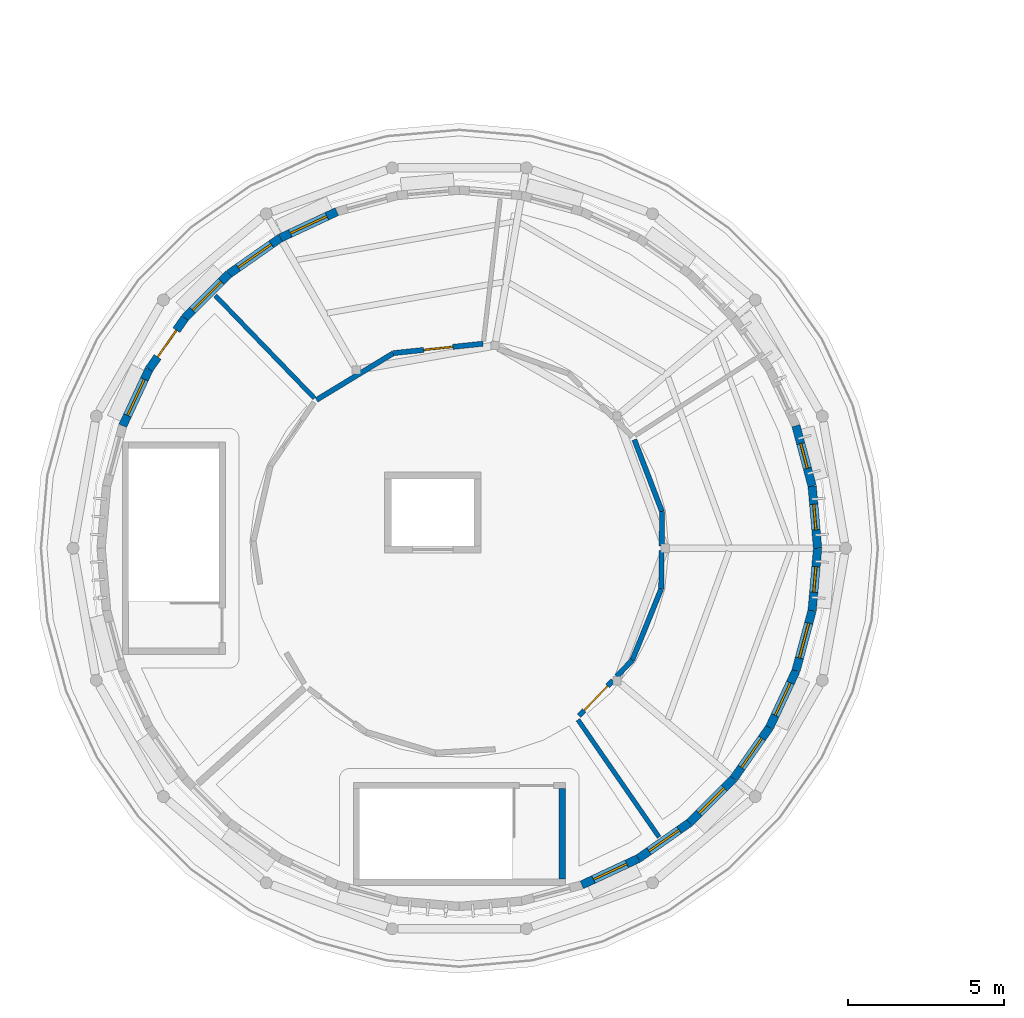
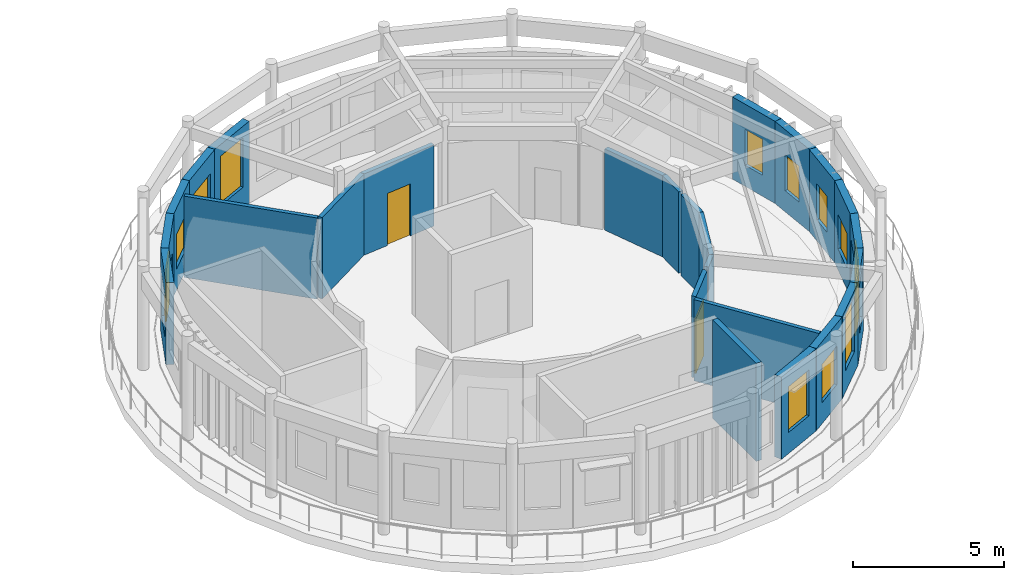
# One storey, part 17 of 30: 25 walls, 13 windows, 3 doors, 16 openings.
"""IFC4 building model written with IfcOpenShell, lengths in metres."""

from ifc_helpers import new_model, si_unit, direction, frame, frame_2d, origin, place, context, subcontext, project, spatial, rectangle, extrude, material, layer, layer_set, type_object, element, fill, save


model = new_model("IFC4")

# Units and contexts
model_context = context("Model", 3, precision=1e-05, world=origin(), true_north=direction((0.0, 1.0)))
body_context = subcontext(model_context, "Body", "Model", "MODEL_VIEW")
ifc_project = project(units=[si_unit("LENGTHUNIT", "METRE"), si_unit("AREAUNIT", "SQUARE_METRE"), si_unit("VOLUMEUNIT", "CUBIC_METRE"), si_unit("PLANEANGLEUNIT", "RADIAN"), si_unit("MASSUNIT", "GRAM", prefix="KILO")], contexts=[model_context])

# Site, building, storey
site_placement = place(None, origin())
site = spatial("IfcSite", under=ifc_project, at=site_placement, CompositionType="ELEMENT")
building_placement = place(site_placement, origin())
building = spatial("IfcBuilding", under=site, at=building_placement, Name="Aldenvaro Health Centre", CompositionType="ELEMENT")
storey_placement = place(building_placement, frame((0.0, 0.0, 17.14990234375)))
storey = spatial("IfcBuildingStorey", under=building, at=storey_placement, Name="L04", CompositionType="ELEMENT", Elevation=17.14990234375)

# Walls
ifc_material_1 = material(Name="Gypsum Stud Acoustic Assembly")
ifc_layer_1 = layer(ifc_material_1, 0.14501953125, Name="Gypsum Stud Acoustic Assembly")
ifc_layer_set_1 = layer_set([ifc_layer_1], Name="Gypsum Stud Acoustic Assembly")
wall_type_1 = type_object("IfcWallType", Name="WL-CLN-145", PredefinedType="PARTITIONING", material=ifc_layer_set_1)
wall_1_placement = place(storey_placement, frame((13.85791015625, 23.306884765625, 0.0), z_axis=(0.0, 0.0, 1.0), x_axis=(-0.694751659022, 0.719249700928, 0.0)))
element("IfcWall", 1, at=wall_1_placement, inside=storey, type_object=wall_type_1, Name="D5 L04 clinical partition 1.1", PredefinedType="PARTITIONING", context=body_context, shape_type="SweptSolid", body=[
    extrude(rectangle(XDim=4.57421875, YDim=0.14501953125, at=frame_2d((2.287109375, 0.0))), origin(), (0.0, 0.0, 1.0), 3.279052734375),
])
wall_2_placement = place(storey_placement, frame((22.301025390625, 13.0029296875, 0.0), z_axis=(0.0, 0.0, 1.0), x_axis=(0.56891282969, -0.822397830867, 0.0)))
element("IfcWall", 2, at=wall_2_placement, inside=storey, type_object=wall_type_1, Name="D5 L04 clinical partition 3.1", PredefinedType="PARTITIONING", context=body_context, shape_type="SweptSolid", body=[
    extrude(rectangle(XDim=4.572021484375, YDim=0.14501953125, at=frame_2d((2.2861328125, 0.0))), origin(), (0.0, 0.0, 1.0), 3.279052734375),
])

# Wall, opening, door
ifc_layer_2 = layer(ifc_material_1, 0.1650390625, Name="Gypsum Stud Acoustic Assembly")
ifc_layer_set_2 = layer_set([ifc_layer_2], Name="Gypsum Stud Acoustic Assembly")
wall_type_2 = type_object("IfcWallType", Name="WL-COR-165", PredefinedType="PARTITIONING", material=ifc_layer_set_2)
wall_3_placement = place(storey_placement, frame((22.333984375, 13.1279296875, 0.0), z_axis=(0.0, 0.0, 1.0), x_axis=(0.69098960796, 0.722864691136, 0.0)))
wall_3 = element("IfcWall", 3, at=wall_3_placement, inside=storey, type_object=wall_type_2, Name="D5 L04 corridor wall 03.1", PredefinedType="PARTITIONING", context=body_context, shape_type="SweptSolid", body=[
    extrude(rectangle(XDim=1.570068359375, YDim=0.1650390625, at=frame_2d((0.78515625, 0.0))), origin(), (0.0, 0.0, 1.0), 3.279052734375),
])
opening_1_placement = place(wall_3_placement, frame((0.239990234375, 0.0, 0.0)))
opening_1 = element("IfcOpeningElement", 4, at=opening_1_placement, cuts=wall_3, Name="Opening D-22", PredefinedType="OPENING", context=body_context, shape_type="SweptSolid", body=[
    extrude(rectangle(XDim=1.090087890625, YDim=2.219970703125, at=frame_2d((0.544921875, 1.10986328125))), frame((0.0, 0.092529296875, 0.0), z_axis=(0.0, -1.0, 0.0), x_axis=(1.0, 0.0, 0.0)), (0.0, 0.0, 1.0), 0.18505859375),
])
ifc_material_2 = material(Name="Exam Suite Timber Door", Category="wood")
door_type_1 = type_object("IfcDoorType", Name="DR-CLN-22", OperationType="NOTDEFINED", PredefinedType="DOOR", material=ifc_material_2)
door_1_placement = place(opening_1_placement, origin())
door_1 = element("IfcDoor", 5, at=door_1_placement, inside=storey, type_object=door_type_1, Name="Staff Continuing Education Room Door", OperationType="SINGLE_SWING_LEFT", OverallHeight=2.219970703125, OverallWidth=1.090087890625, PredefinedType="DOOR", context=body_context, shape_type="SweptSolid", body=[
    extrude(rectangle(XDim=1.090087890625, YDim=2.219970703125, at=frame_2d((0.544921875, 1.10986328125))), frame((0.0, 0.02490234375, 0.0), z_axis=(0.0, -1.0, 0.0), x_axis=(1.0, 0.0, 0.0)), (0.0, 0.0, 1.0), 0.050048828125),
])
fill(opening_1, door_1)

# Walls
wall_4_placement = place(storey_placement, frame((23.544921875, 14.39501953125, 0.0), z_axis=(0.0, 0.0, 1.0), x_axis=(0.690944661627, 0.722907652864, 0.0)))
element("IfcWall", 6, at=wall_4_placement, inside=storey, type_object=wall_type_2, Name="D5 L04 corridor wall 03.2", PredefinedType="PARTITIONING", context=body_context, shape_type="SweptSolid", body=[
    extrude(rectangle(XDim=0.718017578125, YDim=0.1650390625, at=frame_2d((0.35888671875, 0.0))), origin(), (0.0, 0.0, 1.0), 3.279052734375),
])
wall_5_placement = place(storey_placement, frame((24.041015625, 14.9140625, 0.0), z_axis=(0.0, 0.0, 1.0), x_axis=(0.376411505865, 0.926452577444, 0.0)))
element("IfcWall", 7, at=wall_5_placement, inside=storey, type_object=wall_type_2, Name="D5 L04 corridor wall 03.3", PredefinedType="PARTITIONING", context=body_context, shape_type="SweptSolid", body=[
    extrude(rectangle(XDim=2.470458984375, YDim=0.1650390625, at=frame_2d((1.2353515625, 0.0))), origin(), (0.0, 0.0, 1.0), 3.279052734375),
])
wall_6_placement = place(storey_placement, frame((24.970947265625, 17.202880859375, 0.0), z_axis=(0.0, 0.0, 1.0), x_axis=(0.009764381036, 0.999952327295, 0.0)))
element("IfcWall", 8, at=wall_6_placement, inside=storey, type_object=wall_type_2, Name="D5 L04 corridor wall 03.4", PredefinedType="PARTITIONING", context=body_context, shape_type="SweptSolid", body=[
    extrude(rectangle(XDim=1.22509765625, YDim=0.1650390625, at=frame_2d((0.612548828125, 0.0))), origin(), (0.0, 0.0, 1.0), 3.279052734375),
])
wall_7_placement = place(storey_placement, frame((24.98388671875, 18.573974609375, 0.0), z_axis=(0.0, 0.0, 1.0), x_axis=(0.010217147704, 0.999947803584, 0.0)))
element("IfcWall", 9, at=wall_7_placement, inside=storey, type_object=wall_type_2, Name="D5 L04 corridor wall 03.5", PredefinedType="PARTITIONING", context=body_context, shape_type="SweptSolid", body=[
    extrude(rectangle(XDim=1.09912109375, YDim=0.1650390625, at=frame_2d((0.549560546875, 0.0))), origin(), (0.0, 0.0, 1.0), 3.279052734375),
])
wall_8_placement = place(storey_placement, frame((24.9951171875, 19.673095703125, 0.0), z_axis=(0.0, 0.0, 1.0), x_axis=(-0.358959221796, 0.933353243465, 0.0)))
element("IfcWall", 10, at=wall_8_placement, inside=storey, type_object=wall_type_2, Name="D5 L04 corridor wall 03.6", PredefinedType="PARTITIONING", context=body_context, shape_type="SweptSolid", body=[
    extrude(rectangle(XDim=2.4716796875, YDim=0.1650390625, at=frame_2d((1.23583984375, 0.0))), origin(), (0.0, 0.0, 1.0), 3.279052734375),
])

# Wall, opening, door
wall_9_placement = place(storey_placement, frame((19.257080078125, 25.055908203125, 0.0), z_axis=(0.0, 0.0, 1.0), x_axis=(-0.994470622132, -0.105015149938, 0.0)))
wall_9 = element("IfcWall", 11, at=wall_9_placement, inside=storey, type_object=wall_type_2, Name="D5 L04 corridor wall 05.1", PredefinedType="PARTITIONING", context=body_context, shape_type="SweptSolid", body=[
    extrude(rectangle(XDim=2.885009765625, YDim=0.1650390625, at=frame_2d((1.4423828125, 0.0))), origin(), (0.0, 0.0, 1.0), 3.279052734375),
])
opening_2_placement = place(wall_9_placement, frame((0.972900390625, 0.0, 0.0)))
opening_2 = element("IfcOpeningElement", 12, at=opening_2_placement, cuts=wall_9, Name="Opening WD-02", PredefinedType="OPENING", context=body_context, shape_type="SweptSolid", body=[
    extrude(rectangle(XDim=0.93994140625, YDim=2.10009765625, at=frame_2d((0.469970703125, 1.050048828125))), frame((0.0, 0.092529296875, 0.0), z_axis=(0.0, -1.0, 0.0), x_axis=(1.0, 0.0, 0.0)), (0.0, 0.0, 1.0), 0.18505859375),
])
ifc_material_3 = material(Name="Accessible Sanitary Laminate Door")
door_type_2 = type_object("IfcDoorType", Name="DR-WC-02", OperationType="NOTDEFINED", PredefinedType="DOOR", material=ifc_material_3)
door_2_placement = place(opening_2_placement, origin())
door_2 = element("IfcDoor", 13, at=door_2_placement, inside=storey, type_object=door_type_2, Name="Female Staff WC Door", OperationType="SINGLE_SWING_LEFT", OverallHeight=2.10009765625, OverallWidth=0.93994140625, PredefinedType="DOOR", context=body_context, shape_type="SweptSolid", body=[
    extrude(rectangle(XDim=0.93994140625, YDim=2.10009765625, at=frame_2d((0.469970703125, 1.050048828125))), frame((0.0, 0.02490234375, 0.0), z_axis=(0.0, -1.0, 0.0), x_axis=(1.0, 0.0, 0.0)), (0.0, 0.0, 1.0), 0.050048828125),
])
fill(opening_2, door_2)

# Wall
wall_10_placement = place(storey_placement, frame((16.387939453125, 24.7529296875, 0.0), z_axis=(0.0, 0.0, 1.0), x_axis=(-0.854492488108, -0.519463750196, 0.0)))
element("IfcWall", 14, at=wall_10_placement, inside=storey, type_object=wall_type_2, Name="D5 L04 corridor wall 05.2", PredefinedType="PARTITIONING", context=body_context, shape_type="SweptSolid", body=[
    extrude(rectangle(XDim=2.8857421875, YDim=0.1650390625, at=frame_2d((1.44287109375, 0.0))), origin(), (0.0, 0.0, 1.0), 3.279052734375),
])

# Wall, opening, window
ifc_material_4 = material(Name="Cross-laminated timber CLT E1", Category="wood")
ifc_layer_3 = layer(ifc_material_4, 0.27001953125, Name="Cross-laminated timber CLT E1", Category="wood")
ifc_layer_set_3 = layer_set([ifc_layer_3], Name="Cross-laminated timber CLT E1")
wall_type_3 = type_object("IfcWallType", Name="WL-EXT-270", PredefinedType="ELEMENTEDWALL", material=ifc_layer_set_3)
wall_11_placement = place(storey_placement, frame((29.805908203125, 16.507080078125, 0.0), z_axis=(0.0, 0.0, 1.0), x_axis=(-0.258748280927, -0.965944784715, 0.0)))
wall_11 = element("IfcWall", 15, at=wall_11_placement, inside=storey, type_object=wall_type_3, Name="D5 L04 exterior wall 01", PredefinedType="ELEMENTEDWALL", context=body_context, shape_type="SweptSolid", body=[
    extrude(rectangle(XDim=2.001220703125, YDim=0.27001953125, at=frame_2d((1.00048828125, 0.0))), origin(), (0.0, 0.0, 1.0), 3.314208984375),
])
opening_3_placement = place(wall_11_placement, frame((0.426025390625, 0.0, 0.85009765625)))
opening_3 = element("IfcOpeningElement", 16, at=opening_3_placement, cuts=wall_11, Name="Opening W-30", PredefinedType="OPENING", context=body_context, shape_type="SweptSolid", body=[
    extrude(rectangle(XDim=1.14990234375, YDim=1.39990234375, at=frame_2d((0.574951171875, 0.699951171875))), frame((0.0, 0.14501953125, 0.0), z_axis=(0.0, -1.0, 0.0), x_axis=(1.0, 0.0, 0.0)), (0.0, 0.0, 1.0), 0.2900390625),
])
ifc_material_5 = material(Name="Thermally Broken Aluminium Low-E Glass", Category="aluminium")
window_type_1 = type_object("IfcWindowType", Name="WN-EXT-30", PartitioningType="SINGLE_PANEL", PredefinedType="WINDOW", material=ifc_material_5)
window_1_placement = place(opening_3_placement, origin())
window_1 = element("IfcWindow", 17, at=window_1_placement, inside=storey, type_object=window_type_1, Name="D5 L04 clinical window 01", OverallHeight=1.39990234375, OverallWidth=1.14990234375, PartitioningType="SINGLE_PANEL", PredefinedType="WINDOW", context=body_context, shape_type="SweptSolid", body=[
    extrude(rectangle(XDim=1.14990234375, YDim=1.39990234375, at=frame_2d((0.574951171875, 0.699951171875))), frame((0.0, 0.030029296875, 0.0), z_axis=(0.0, -1.0, 0.0), x_axis=(1.0, 0.0, 0.0)), (0.0, 0.0, 1.0), 0.06005859375),
])
fill(opening_3, window_1)

wall_12_placement = place(storey_placement, frame((29.2880859375, 14.573974609375, 0.0), z_axis=(0.0, 0.0, 1.0), x_axis=(-0.422751915713, -0.906245451167, 0.0)))
wall_12 = element("IfcWall", 18, at=wall_12_placement, inside=storey, type_object=wall_type_3, Name="D5 L04 exterior wall 02", PredefinedType="ELEMENTEDWALL", context=body_context, shape_type="SweptSolid", body=[
    extrude(rectangle(XDim=2.001708984375, YDim=0.27001953125, at=frame_2d((1.0009765625, 0.0))), origin(), (0.0, 0.0, 1.0), 3.314208984375),
])
opening_4_placement = place(wall_12_placement, frame((0.426025390625, 0.0, 0.85009765625)))
opening_4 = element("IfcOpeningElement", 19, at=opening_4_placement, cuts=wall_12, Name="Opening W-31", PredefinedType="OPENING", context=body_context, shape_type="SweptSolid", body=[
    extrude(rectangle(XDim=1.14990234375, YDim=1.699951171875, at=frame_2d((0.574951171875, 0.85009765625))), frame((0.0, 0.14501953125, 0.0), z_axis=(0.0, -1.0, 0.0), x_axis=(1.0, 0.0, 0.0)), (0.0, 0.0, 1.0), 0.2900390625),
])
window_type_2 = type_object("IfcWindowType", Name="WN-EXT-31", PartitioningType="SINGLE_PANEL", PredefinedType="WINDOW", material=ifc_material_5)
window_2_placement = place(opening_4_placement, origin())
window_2 = element("IfcWindow", 20, at=window_2_placement, inside=storey, type_object=window_type_2, Name="D5 L04 clinical window 02", OverallHeight=1.699951171875, OverallWidth=1.14990234375, PartitioningType="SINGLE_PANEL", PredefinedType="WINDOW", context=body_context, shape_type="SweptSolid", body=[
    extrude(rectangle(XDim=1.14990234375, YDim=1.699951171875, at=frame_2d((0.574951171875, 0.85009765625))), frame((0.0, 0.030029296875, 0.0), z_axis=(0.0, -1.0, 0.0), x_axis=(1.0, 0.0, 0.0)), (0.0, 0.0, 1.0), 0.06005859375),
])
fill(opening_4, window_2)

wall_13_placement = place(storey_placement, frame((28.44189453125, 12.760009765625, 0.0), z_axis=(0.0, 0.0, 1.0), x_axis=(-0.573699793029, -0.819065655169, 0.0)))
wall_13 = element("IfcWall", 21, at=wall_13_placement, inside=storey, type_object=wall_type_3, Name="D5 L04 exterior wall 03", PredefinedType="ELEMENTEDWALL", context=body_context, shape_type="SweptSolid", body=[
    extrude(rectangle(XDim=2.0009765625, YDim=0.27001953125, at=frame_2d((1.00048828125, 0.0))), origin(), (0.0, 0.0, 1.0), 3.314208984375),
])
opening_5_placement = place(wall_13_placement, frame((0.426025390625, 0.0, 0.85009765625)))
opening_5 = element("IfcOpeningElement", 22, at=opening_5_placement, cuts=wall_13, Name="Opening W-32", PredefinedType="OPENING", context=body_context, shape_type="SweptSolid", body=[
    extrude(rectangle(XDim=1.14990234375, YDim=2.0, at=frame_2d((0.574951171875, 1.0))), frame((0.0, 0.14501953125, 0.0), z_axis=(0.0, -1.0, 0.0), x_axis=(1.0, 0.0, 0.0)), (0.0, 0.0, 1.0), 0.2900390625),
])
window_type_3 = type_object("IfcWindowType", Name="WN-EXT-32", PartitioningType="SINGLE_PANEL", PredefinedType="WINDOW", material=ifc_material_5)
window_3_placement = place(opening_5_placement, origin())
window_3 = element("IfcWindow", 23, at=window_3_placement, inside=storey, type_object=window_type_3, Name="D5 L04 clinical window 03", OverallHeight=2.0, OverallWidth=1.14990234375, PartitioningType="SINGLE_PANEL", PredefinedType="WINDOW", context=body_context, shape_type="SweptSolid", body=[
    extrude(rectangle(XDim=1.14990234375, YDim=2.0, at=frame_2d((0.574951171875, 1.0))), frame((0.0, 0.030029296875, 0.0), z_axis=(0.0, -1.0, 0.0), x_axis=(1.0, 0.0, 0.0)), (0.0, 0.0, 1.0), 0.06005859375),
])
fill(opening_5, window_3)

wall_14_placement = place(storey_placement, frame((27.2939453125, 11.12109375, 0.0), z_axis=(0.0, 0.0, 1.0), x_axis=(-0.707106781187, -0.707106781187, 0.0)))
wall_14 = element("IfcWall", 24, at=wall_14_placement, inside=storey, type_object=wall_type_3, Name="D5 L04 exterior wall 04", PredefinedType="ELEMENTEDWALL", context=body_context, shape_type="SweptSolid", body=[
    extrude(rectangle(XDim=2.001220703125, YDim=0.27001953125, at=frame_2d((1.00048828125, 0.0))), origin(), (0.0, 0.0, 1.0), 3.314208984375),
])
opening_6_placement = place(wall_14_placement, frame((0.426025390625, 0.0, 0.85009765625)))
opening_6 = element("IfcOpeningElement", 25, at=opening_6_placement, cuts=wall_14, Name="Opening W-33", PredefinedType="OPENING", context=body_context, shape_type="SweptSolid", body=[
    extrude(rectangle(XDim=1.14990234375, YDim=2.25, at=frame_2d((0.574951171875, 1.125))), frame((0.0, 0.14501953125, 0.0), z_axis=(0.0, -1.0, 0.0), x_axis=(1.0, 0.0, 0.0)), (0.0, 0.0, 1.0), 0.2900390625),
])
window_type_4 = type_object("IfcWindowType", Name="WN-EXT-33", PartitioningType="SINGLE_PANEL", PredefinedType="WINDOW", material=ifc_material_5)
window_4_placement = place(opening_6_placement, origin())
window_4 = element("IfcWindow", 26, at=window_4_placement, inside=storey, type_object=window_type_4, Name="D5 L04 clinical window 04", OverallHeight=2.25, OverallWidth=1.14990234375, PartitioningType="SINGLE_PANEL", PredefinedType="WINDOW", context=body_context, shape_type="SweptSolid", body=[
    extrude(rectangle(XDim=1.14990234375, YDim=2.25, at=frame_2d((0.574951171875, 1.125))), frame((0.0, 0.030029296875, 0.0), z_axis=(0.0, -1.0, 0.0), x_axis=(1.0, 0.0, 0.0)), (0.0, 0.0, 1.0), 0.06005859375),
])
fill(opening_6, window_4)

wall_15_placement = place(storey_placement, frame((25.87890625, 9.7060546875, 0.0), z_axis=(0.0, 0.0, 1.0), x_axis=(-0.819065655169, -0.573699793029, 0.0)))
wall_15 = element("IfcWall", 27, at=wall_15_placement, inside=storey, type_object=wall_type_3, Name="D5 L04 exterior wall 05", PredefinedType="ELEMENTEDWALL", context=body_context, shape_type="SweptSolid", body=[
    extrude(rectangle(XDim=2.0009765625, YDim=0.27001953125, at=frame_2d((1.00048828125, 0.0))), origin(), (0.0, 0.0, 1.0), 3.314208984375),
])
opening_7_placement = place(wall_15_placement, frame((0.410888671875, 0.0, 0.85009765625)))
opening_7 = element("IfcOpeningElement", 28, at=opening_7_placement, cuts=wall_15, Name="Opening W-34", PredefinedType="OPENING", context=body_context, shape_type="SweptSolid", body=[
    extrude(rectangle(XDim=1.179931640625, YDim=1.550048828125, at=frame_2d((0.58984375, 0.77490234375))), frame((0.0, 0.14501953125, 0.0), z_axis=(0.0, -1.0, 0.0), x_axis=(1.0, 0.0, 0.0)), (0.0, 0.0, 1.0), 0.2900390625),
])
window_type_5 = type_object("IfcWindowType", Name="WN-EXT-34", PartitioningType="SINGLE_PANEL", PredefinedType="WINDOW", material=ifc_material_5)
window_5_placement = place(opening_7_placement, origin())
window_5 = element("IfcWindow", 29, at=window_5_placement, inside=storey, type_object=window_type_5, Name="D5 L04 clinical window 05", OverallHeight=1.550048828125, OverallWidth=1.179931640625, PartitioningType="SINGLE_PANEL", PredefinedType="WINDOW", context=body_context, shape_type="SweptSolid", body=[
    extrude(rectangle(XDim=1.179931640625, YDim=1.550048828125, at=frame_2d((0.58984375, 0.77490234375))), frame((0.0, 0.030029296875, 0.0), z_axis=(0.0, -1.0, 0.0), x_axis=(1.0, 0.0, 0.0)), (0.0, 0.0, 1.0), 0.06005859375),
])
fill(opening_7, window_5)

wall_16_placement = place(storey_placement, frame((24.239990234375, 8.55810546875, 0.0), z_axis=(0.0, 0.0, 1.0), x_axis=(-0.906245451167, -0.422751915713, 0.0)))
wall_16 = element("IfcWall", 30, at=wall_16_placement, inside=storey, type_object=wall_type_3, Name="D5 L04 exterior wall 06", PredefinedType="ELEMENTEDWALL", context=body_context, shape_type="SweptSolid", body=[
    extrude(rectangle(XDim=2.001708984375, YDim=0.27001953125, at=frame_2d((1.0009765625, 0.0))), origin(), (0.0, 0.0, 1.0), 3.314208984375),
])
opening_8_placement = place(wall_16_placement, frame((0.410888671875, 0.0, 0.85009765625)))
opening_8 = element("IfcOpeningElement", 31, at=opening_8_placement, cuts=wall_16, Name="Opening W-35", PredefinedType="OPENING", context=body_context, shape_type="SweptSolid", body=[
    extrude(rectangle(XDim=1.179931640625, YDim=1.85009765625, at=frame_2d((0.58984375, 0.925048828125))), frame((0.0, 0.14501953125, 0.0), z_axis=(0.0, -1.0, 0.0), x_axis=(1.0, 0.0, 0.0)), (0.0, 0.0, 1.0), 0.2900390625),
])
window_type_6 = type_object("IfcWindowType", Name="WN-EXT-35", PartitioningType="SINGLE_PANEL", PredefinedType="WINDOW", material=ifc_material_5)
window_6_placement = place(opening_8_placement, origin())
window_6 = element("IfcWindow", 32, at=window_6_placement, inside=storey, type_object=window_type_6, Name="D5 L04 clinical window 06", OverallHeight=1.85009765625, OverallWidth=1.179931640625, PartitioningType="SINGLE_PANEL", PredefinedType="WINDOW", context=body_context, shape_type="SweptSolid", body=[
    extrude(rectangle(XDim=1.179931640625, YDim=1.85009765625, at=frame_2d((0.58984375, 0.925048828125))), frame((0.0, 0.030029296875, 0.0), z_axis=(0.0, -1.0, 0.0), x_axis=(1.0, 0.0, 0.0)), (0.0, 0.0, 1.0), 0.06005859375),
])
fill(opening_8, window_6)

wall_17_placement = place(storey_placement, frame((7.7119140625, 22.426025390625, 0.0), z_axis=(0.0, 0.0, 1.0), x_axis=(0.422751915713, 0.906245451167, 0.0)))
wall_17 = element("IfcWall", 33, at=wall_17_placement, inside=storey, type_object=wall_type_3, Name="D5 L04 exterior wall 20", PredefinedType="ELEMENTEDWALL", context=body_context, shape_type="SweptSolid", body=[
    extrude(rectangle(XDim=2.001708984375, YDim=0.27001953125, at=frame_2d((1.0009765625, 0.0))), origin(), (0.0, 0.0, 1.0), 3.314208984375),
])
opening_9_placement = place(wall_17_placement, frame((0.361083984375, 0.0, 0.85009765625)))
opening_9 = element("IfcOpeningElement", 34, at=opening_9_placement, cuts=wall_17, Name="Opening W-45", PredefinedType="OPENING", context=body_context, shape_type="SweptSolid", body=[
    extrude(rectangle(XDim=1.280029296875, YDim=1.64990234375, at=frame_2d((0.64013671875, 0.824951171875))), frame((0.0, 0.14501953125, 0.0), z_axis=(0.0, -1.0, 0.0), x_axis=(1.0, 0.0, 0.0)), (0.0, 0.0, 1.0), 0.2900390625),
])
window_type_7 = type_object("IfcWindowType", Name="WN-EXT-45", PartitioningType="SINGLE_PANEL", PredefinedType="WINDOW", material=ifc_material_5)
window_7_placement = place(opening_9_placement, origin())
window_7 = element("IfcWindow", 35, at=window_7_placement, inside=storey, type_object=window_type_7, Name="D5 L04 clinical window 20", OverallHeight=1.64990234375, OverallWidth=1.280029296875, PartitioningType="SINGLE_PANEL", PredefinedType="WINDOW", context=body_context, shape_type="SweptSolid", body=[
    extrude(rectangle(XDim=1.280029296875, YDim=1.64990234375, at=frame_2d((0.64013671875, 0.824951171875))), frame((0.0, 0.030029296875, 0.0), z_axis=(0.0, -1.0, 0.0), x_axis=(1.0, 0.0, 0.0)), (0.0, 0.0, 1.0), 0.06005859375),
])
fill(opening_9, window_7)

# Wall, opening, door
wall_18_placement = place(storey_placement, frame((8.55810546875, 24.239990234375, 0.0), z_axis=(0.0, 0.0, 1.0), x_axis=(0.573699793029, 0.819065655169, 0.0)))
wall_18 = element("IfcWall", 36, at=wall_18_placement, inside=storey, type_object=wall_type_3, Name="D5 L04 exterior wall 21", PredefinedType="ELEMENTEDWALL", context=body_context, shape_type="SweptSolid", body=[
    extrude(rectangle(XDim=2.0009765625, YDim=0.27001953125, at=frame_2d((1.00048828125, 0.0))), origin(), (0.0, 0.0, 1.0), 3.314208984375),
])
opening_10_placement = place(wall_18_placement, frame((0.47607421875, 0.0, 0.0)))
opening_10 = element("IfcOpeningElement", 37, at=opening_10_placement, cuts=wall_18, Name="Opening TD-02", PredefinedType="OPENING", context=body_context, shape_type="SweptSolid", body=[
    extrude(rectangle(XDim=1.050048828125, YDim=2.14990234375, at=frame_2d((0.52490234375, 1.074951171875))), frame((0.0, 0.14501953125, 0.0), z_axis=(0.0, -1.0, 0.0), x_axis=(1.0, 0.0, 0.0)), (0.0, 0.0, 1.0), 0.2900390625),
])
ifc_material_6 = material(Name="Thermally Broken Glazed Aluminium", Category="aluminium")
door_type_3 = type_object("IfcDoorType", Name="DR-TER-105", OperationType="NOTDEFINED", PredefinedType="DOOR", material=ifc_material_6)
door_3_placement = place(opening_10_placement, origin())
door_3 = element("IfcDoor", 38, at=door_3_placement, inside=storey, type_object=door_type_3, Name="D5 L04 Belvedere Terrace Door 21", OperationType="SINGLE_SWING_RIGHT", OverallHeight=2.14990234375, OverallWidth=1.050048828125, PredefinedType="DOOR", context=body_context, shape_type="SweptSolid", body=[
    extrude(rectangle(XDim=1.050048828125, YDim=2.14990234375, at=frame_2d((0.52490234375, 1.074951171875))), frame((0.0, 0.02490234375, 0.0), z_axis=(0.0, -1.0, 0.0), x_axis=(1.0, 0.0, 0.0)), (0.0, 0.0, 1.0), 0.050048828125),
])
fill(opening_10, door_3)

# Wall, opening, window
wall_19_placement = place(storey_placement, frame((9.7060546875, 25.87890625, 0.0), z_axis=(0.0, 0.0, 1.0), x_axis=(0.707106781187, 0.707106781187, 0.0)))
wall_19 = element("IfcWall", 39, at=wall_19_placement, inside=storey, type_object=wall_type_3, Name="D5 L04 exterior wall 22", PredefinedType="ELEMENTEDWALL", context=body_context, shape_type="SweptSolid", body=[
    extrude(rectangle(XDim=2.001220703125, YDim=0.27001953125, at=frame_2d((1.00048828125, 0.0))), origin(), (0.0, 0.0, 1.0), 3.314208984375),
])
opening_11_placement = place(wall_19_placement, frame((0.35107421875, 0.0, 0.85009765625)))
opening_11 = element("IfcOpeningElement", 40, at=opening_11_placement, cuts=wall_19, Name="Opening W-46", PredefinedType="OPENING", context=body_context, shape_type="SweptSolid", body=[
    extrude(rectangle(XDim=1.300048828125, YDim=1.39990234375, at=frame_2d((0.64990234375, 0.699951171875))), frame((0.0, 0.14501953125, 0.0), z_axis=(0.0, -1.0, 0.0), x_axis=(1.0, 0.0, 0.0)), (0.0, 0.0, 1.0), 0.2900390625),
])
window_type_8 = type_object("IfcWindowType", Name="WN-EXT-46", PartitioningType="SINGLE_PANEL", PredefinedType="WINDOW", material=ifc_material_5)
window_8_placement = place(opening_11_placement, origin())
window_8 = element("IfcWindow", 41, at=window_8_placement, inside=storey, type_object=window_type_8, Name="D5 L04 clinical window 22", OverallHeight=1.39990234375, OverallWidth=1.300048828125, PartitioningType="SINGLE_PANEL", PredefinedType="WINDOW", context=body_context, shape_type="SweptSolid", body=[
    extrude(rectangle(XDim=1.300048828125, YDim=1.39990234375, at=frame_2d((0.64990234375, 0.699951171875))), frame((0.0, 0.030029296875, 0.0), z_axis=(0.0, -1.0, 0.0), x_axis=(1.0, 0.0, 0.0)), (0.0, 0.0, 1.0), 0.06005859375),
])
fill(opening_11, window_8)

wall_20_placement = place(storey_placement, frame((11.12109375, 27.2939453125, 0.0), z_axis=(0.0, 0.0, 1.0), x_axis=(0.819065655169, 0.573699793029, 0.0)))
wall_20 = element("IfcWall", 42, at=wall_20_placement, inside=storey, type_object=wall_type_3, Name="D5 L04 exterior wall 23", PredefinedType="ELEMENTEDWALL", context=body_context, shape_type="SweptSolid", body=[
    extrude(rectangle(XDim=2.0009765625, YDim=0.27001953125, at=frame_2d((1.00048828125, 0.0))), origin(), (0.0, 0.0, 1.0), 3.314208984375),
])
opening_12_placement = place(wall_20_placement, frame((0.35107421875, 0.0, 0.85009765625)))
opening_12 = element("IfcOpeningElement", 43, at=opening_12_placement, cuts=wall_20, Name="Opening W-47", PredefinedType="OPENING", context=body_context, shape_type="SweptSolid", body=[
    extrude(rectangle(XDim=1.300048828125, YDim=1.699951171875, at=frame_2d((0.64990234375, 0.85009765625))), frame((0.0, 0.14501953125, 0.0), z_axis=(0.0, -1.0, 0.0), x_axis=(1.0, 0.0, 0.0)), (0.0, 0.0, 1.0), 0.2900390625),
])
window_type_9 = type_object("IfcWindowType", Name="WN-EXT-47", PartitioningType="SINGLE_PANEL", PredefinedType="WINDOW", material=ifc_material_5)
window_9_placement = place(opening_12_placement, origin())
window_9 = element("IfcWindow", 44, at=window_9_placement, inside=storey, type_object=window_type_9, Name="D5 L04 clinical window 23", OverallHeight=1.699951171875, OverallWidth=1.300048828125, PartitioningType="SINGLE_PANEL", PredefinedType="WINDOW", context=body_context, shape_type="SweptSolid", body=[
    extrude(rectangle(XDim=1.300048828125, YDim=1.699951171875, at=frame_2d((0.64990234375, 0.85009765625))), frame((0.0, 0.030029296875, 0.0), z_axis=(0.0, -1.0, 0.0), x_axis=(1.0, 0.0, 0.0)), (0.0, 0.0, 1.0), 0.06005859375),
])
fill(opening_12, window_9)

wall_21_placement = place(storey_placement, frame((12.760009765625, 28.44189453125, 0.0), z_axis=(0.0, 0.0, 1.0), x_axis=(0.906245451167, 0.422751915713, 0.0)))
wall_21 = element("IfcWall", 45, at=wall_21_placement, inside=storey, type_object=wall_type_3, Name="D5 L04 exterior wall 24", PredefinedType="ELEMENTEDWALL", context=body_context, shape_type="SweptSolid", body=[
    extrude(rectangle(XDim=2.001708984375, YDim=0.27001953125, at=frame_2d((1.0009765625, 0.0))), origin(), (0.0, 0.0, 1.0), 3.314208984375),
])
opening_13_placement = place(wall_21_placement, frame((0.35107421875, 0.0, 0.85009765625)))
opening_13 = element("IfcOpeningElement", 46, at=opening_13_placement, cuts=wall_21, Name="Opening W-48", PredefinedType="OPENING", context=body_context, shape_type="SweptSolid", body=[
    extrude(rectangle(XDim=1.300048828125, YDim=2.0, at=frame_2d((0.64990234375, 1.0))), frame((0.0, 0.14501953125, 0.0), z_axis=(0.0, -1.0, 0.0), x_axis=(1.0, 0.0, 0.0)), (0.0, 0.0, 1.0), 0.2900390625),
])
window_type_10 = type_object("IfcWindowType", Name="WN-EXT-48", PartitioningType="SINGLE_PANEL", PredefinedType="WINDOW", material=ifc_material_5)
window_10_placement = place(opening_13_placement, origin())
window_10 = element("IfcWindow", 47, at=window_10_placement, inside=storey, type_object=window_type_10, Name="D5 L04 clinical window 24", OverallHeight=2.0, OverallWidth=1.300048828125, PartitioningType="SINGLE_PANEL", PredefinedType="WINDOW", context=body_context, shape_type="SweptSolid", body=[
    extrude(rectangle(XDim=1.300048828125, YDim=2.0, at=frame_2d((0.64990234375, 1.0))), frame((0.0, 0.030029296875, 0.0), z_axis=(0.0, -1.0, 0.0), x_axis=(1.0, 0.0, 0.0)), (0.0, 0.0, 1.0), 0.06005859375),
])
fill(opening_13, window_10)

wall_22_placement = place(storey_placement, frame((29.2880859375, 22.426025390625, 0.0), z_axis=(0.0, 0.0, 1.0), x_axis=(0.258748280927, -0.965944784715, 0.0)))
wall_22 = element("IfcWall", 48, at=wall_22_placement, inside=storey, type_object=wall_type_3, Name="D5 L04 exterior wall 34", PredefinedType="ELEMENTEDWALL", context=body_context, shape_type="SweptSolid", body=[
    extrude(rectangle(XDim=2.001220703125, YDim=0.27001953125, at=frame_2d((1.00048828125, 0.0))), origin(), (0.0, 0.0, 1.0), 3.314208984375),
])
opening_14_placement = place(wall_22_placement, frame((0.591064453125, 0.0, 0.85009765625)))
opening_14 = element("IfcOpeningElement", 49, at=opening_14_placement, cuts=wall_22, Name="Opening W-01", PredefinedType="OPENING", context=body_context, shape_type="SweptSolid", body=[
    extrude(rectangle(XDim=0.820068359375, YDim=1.449951171875, at=frame_2d((0.41015625, 0.72509765625))), frame((0.0, 0.14501953125, 0.0), z_axis=(0.0, -1.0, 0.0), x_axis=(1.0, 0.0, 0.0)), (0.0, 0.0, 1.0), 0.2900390625),
])
window_type_11 = type_object("IfcWindowType", Name="WN-EXT-01", PartitioningType="SINGLE_PANEL", PredefinedType="WINDOW", material=ifc_material_5)
window_11_placement = place(opening_14_placement, origin())
window_11 = element("IfcWindow", 50, at=window_11_placement, inside=storey, type_object=window_type_11, Name="D5 L04 clinical window 34", OverallHeight=1.449951171875, OverallWidth=0.820068359375, PartitioningType="SINGLE_PANEL", PredefinedType="WINDOW", context=body_context, shape_type="SweptSolid", body=[
    extrude(rectangle(XDim=0.820068359375, YDim=1.449951171875, at=frame_2d((0.41015625, 0.72509765625))), frame((0.0, 0.030029296875, 0.0), z_axis=(0.0, -1.0, 0.0), x_axis=(1.0, 0.0, 0.0)), (0.0, 0.0, 1.0), 0.06005859375),
])
fill(opening_14, window_11)

wall_23_placement = place(storey_placement, frame((29.805908203125, 20.492919921875, 0.0), z_axis=(0.0, 0.0, 1.0), x_axis=(0.087014045266, -0.996207084861, 0.0)))
wall_23 = element("IfcWall", 51, at=wall_23_placement, inside=storey, type_object=wall_type_3, Name="D5 L04 exterior wall 35", PredefinedType="ELEMENTEDWALL", context=body_context, shape_type="SweptSolid", body=[
    extrude(rectangle(XDim=2.00048828125, YDim=0.27001953125, at=frame_2d((1.000244140625, 0.0))), origin(), (0.0, 0.0, 1.0), 3.314208984375),
])
opening_15_placement = place(wall_23_placement, frame((0.590087890625, 0.0, 0.85009765625)))
opening_15 = element("IfcOpeningElement", 52, at=opening_15_placement, cuts=wall_23, Name="Opening W-01", PredefinedType="OPENING", context=body_context, shape_type="SweptSolid", body=[
    extrude(rectangle(XDim=0.820068359375, YDim=1.449951171875, at=frame_2d((0.41015625, 0.72509765625))), frame((0.0, 0.14501953125, 0.0), z_axis=(0.0, -1.0, 0.0), x_axis=(1.0, 0.0, 0.0)), (0.0, 0.0, 1.0), 0.2900390625),
])
window_12_placement = place(opening_15_placement, origin())
window_12 = element("IfcWindow", 53, at=window_12_placement, inside=storey, type_object=window_type_11, Name="D5 L04 clinical window 35", OverallHeight=1.449951171875, OverallWidth=0.820068359375, PartitioningType="SINGLE_PANEL", PredefinedType="WINDOW", context=body_context, shape_type="SweptSolid", body=[
    extrude(rectangle(XDim=0.820068359375, YDim=1.449951171875, at=frame_2d((0.41015625, 0.72509765625))), frame((0.0, 0.030029296875, 0.0), z_axis=(0.0, -1.0, 0.0), x_axis=(1.0, 0.0, 0.0)), (0.0, 0.0, 1.0), 0.06005859375),
])
fill(opening_15, window_12)

wall_24_placement = place(storey_placement, frame((29.97998046875, 18.5, 0.0), z_axis=(0.0, 0.0, 1.0), x_axis=(-0.087014045266, -0.996207084861, 0.0)))
wall_24 = element("IfcWall", 54, at=wall_24_placement, inside=storey, type_object=wall_type_3, Name="D5 L04 exterior wall 36", PredefinedType="ELEMENTEDWALL", context=body_context, shape_type="SweptSolid", body=[
    extrude(rectangle(XDim=2.00048828125, YDim=0.27001953125, at=frame_2d((1.000244140625, 0.0))), origin(), (0.0, 0.0, 1.0), 3.314208984375),
])
opening_16_placement = place(wall_24_placement, frame((0.590087890625, 0.0, 0.85009765625)))
opening_16 = element("IfcOpeningElement", 55, at=opening_16_placement, cuts=wall_24, Name="Opening W-01", PredefinedType="OPENING", context=body_context, shape_type="SweptSolid", body=[
    extrude(rectangle(XDim=0.820068359375, YDim=1.449951171875, at=frame_2d((0.41015625, 0.72509765625))), frame((0.0, 0.14501953125, 0.0), z_axis=(0.0, -1.0, 0.0), x_axis=(1.0, 0.0, 0.0)), (0.0, 0.0, 1.0), 0.2900390625),
])
window_13_placement = place(opening_16_placement, origin())
window_13 = element("IfcWindow", 56, at=window_13_placement, inside=storey, type_object=window_type_11, Name="D5 L04 clinical window 36", OverallHeight=1.449951171875, OverallWidth=0.820068359375, PartitioningType="SINGLE_PANEL", PredefinedType="WINDOW", context=body_context, shape_type="SweptSolid", body=[
    extrude(rectangle(XDim=0.820068359375, YDim=1.449951171875, at=frame_2d((0.41015625, 0.72509765625))), frame((0.0, 0.030029296875, 0.0), z_axis=(0.0, -1.0, 0.0), x_axis=(1.0, 0.0, 0.0)), (0.0, 0.0, 1.0), 0.06005859375),
])
fill(opening_16, window_13)

# Wall
ifc_material_7 = material(Name="Concrete f'c 40 MPa", Category="concrete")
ifc_layer_4 = layer(ifc_material_7, 0.199951171875, Name="Concrete f'c 40 MPa", Category="concrete")
ifc_layer_set_4 = layer_set([ifc_layer_4], Name="Concrete f'c 40 MPa")
wall_type_4 = type_object("IfcWallType", Name="WL-SHAFT-200", PredefinedType="SHEAR", material=ifc_layer_set_4)
wall_25_placement = place(storey_placement, frame((21.800048828125, 10.800048828125, 0.0), z_axis=(0.0, 0.0, 1.0), x_axis=(0.0, -1.0, 0.0)))
element("IfcWall", 57, at=wall_25_placement, inside=storey, type_object=wall_type_4, Name="ST-10 L04 core wall L", PredefinedType="SHEAR", context=body_context, shape_type="SweptSolid", body=[
    extrude(rectangle(XDim=2.900146484375, YDim=0.199951171875, at=frame_2d((1.4501953125, 0.0))), origin(), (0.0, 0.0, 1.0), 3.960205078125),
])

save(model, "model.ifc")
